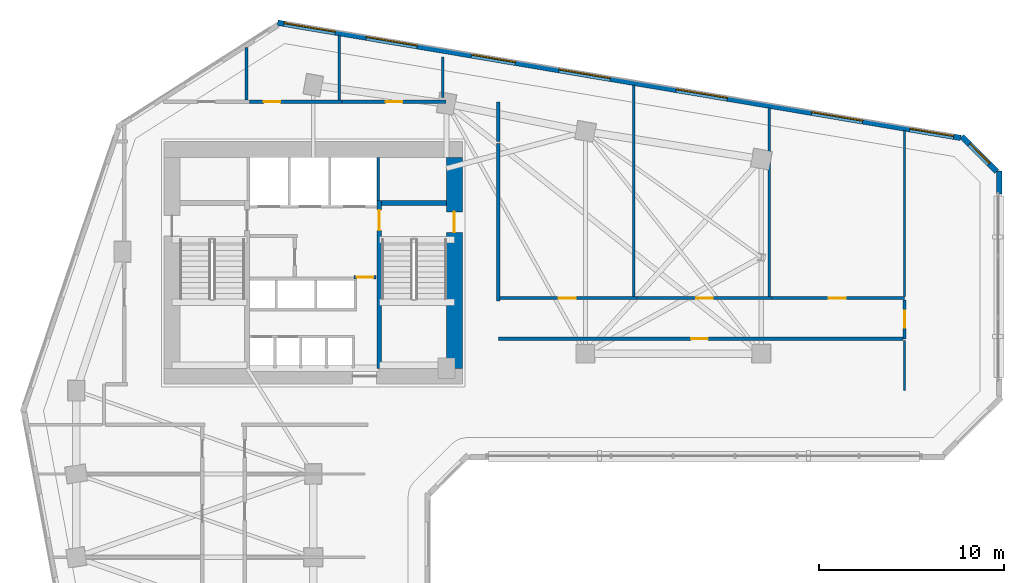
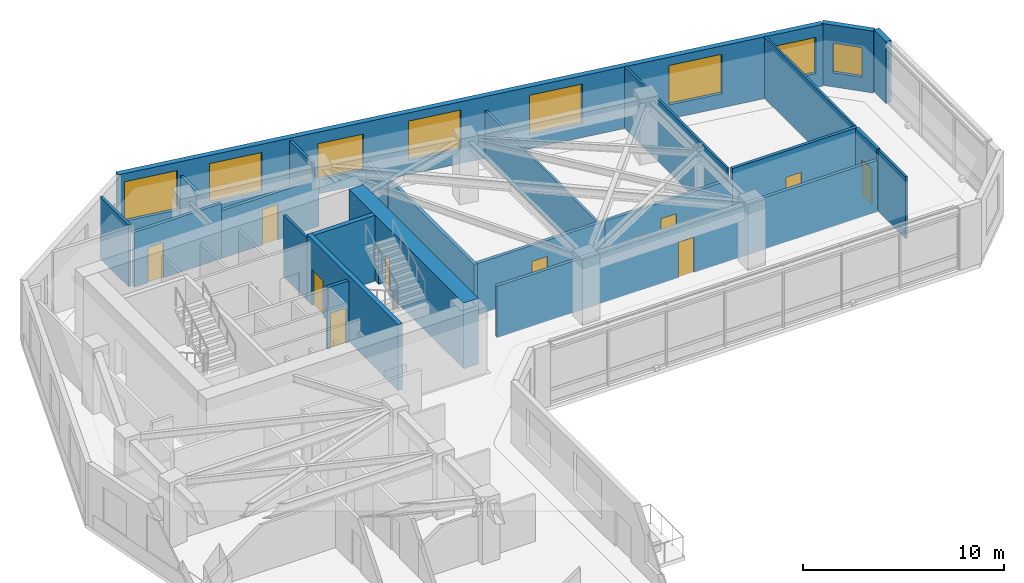
# One storey, part 8 of 12: 24 walls, 10 doors, 8 windows, 18 openings.
"""IFC4 building model written with IfcOpenShell, lengths in metres."""

from ifc_helpers import new_model, si_unit, direction, frame, frame_2d, origin, place, context, subcontext, project, spatial, rectangle, extrude, source, transform, mapped, material, layer, layer_set, type_object, element, fill, save


model = new_model("IFC4")

# Units and contexts
model_context = context("Model", 3, precision=1e-05, world=origin(), true_north=direction((0.0, 1.0)))
body_context = subcontext(model_context, "Body", "Model", "MODEL_VIEW")
ifc_project = project(units=[si_unit("LENGTHUNIT", "METRE"), si_unit("AREAUNIT", "SQUARE_METRE"), si_unit("VOLUMEUNIT", "CUBIC_METRE"), si_unit("PLANEANGLEUNIT", "RADIAN"), si_unit("MASSUNIT", "GRAM", prefix="KILO")], contexts=[model_context])

# Site, building, storey
site_placement = place(None, origin())
site = spatial("IfcSite", under=ifc_project, at=site_placement, CompositionType="ELEMENT")
building_placement = place(site_placement, origin())
building = spatial("IfcBuilding", under=site, at=building_placement, Name="Calvemar Wedge Station Tower", CompositionType="ELEMENT")
storey_placement = place(building_placement, frame((0.0, 0.0, 51.0)))
storey = spatial("IfcBuildingStorey", under=building, at=storey_placement, Name="L12", CompositionType="ELEMENT", Elevation=51.0)

# Wall, opening, door
ifc_material_1 = material(Name="Concrete C50", Category="concrete")
ifc_layer_1 = layer(ifc_material_1, 0.260009765625)
ifc_layer_set_1 = layer_set([ifc_layer_1], Name="Concrete C50")
wall_type_1 = type_object("IfcWallType", Name="SW-CORE-260", PredefinedType="SHEAR", material=ifc_layer_set_1)
wall_1_placement = place(storey_placement, frame((27.3701171875, 34.199951171875, 0.0), z_axis=(0.0, 0.0, 1.0), x_axis=(0.0, 1.0, 0.0)))
wall_1 = element("IfcWall", 1, at=wall_1_placement, inside=storey, type_object=wall_type_1, Name="Storey L12 Core Shear Wall SPINE-E", PredefinedType="SHEAR", context=body_context, shape_type="SweptSolid", body=[
    extrude(rectangle(XDim=9.06005859375, YDim=0.260009765625, at=frame_2d((4.530029296875, 0.0))), origin(), (0.0, 0.0, 1.0), 4.0),
])
shared_shape_1 = source(origin(), body_context, "Body", "SweptSolid", [
    extrude(rectangle(XDim=1.10009765625, YDim=2.14990234375, at=frame_2d((0.550048828125, 1.074951171875))), frame((0.0, 0.14013671875, 0.0), z_axis=(0.0, -1.0, 0.0), x_axis=(1.0, 0.0, 0.0)), (0.0, 0.0, 1.0), 0.280029296875),
])
opening_1_placement = place(wall_1_placement, frame((7.449951171875, 0.0, 0.0)))
opening_1 = element("IfcOpeningElement", 2, at=opening_1_placement, cuts=wall_1, Name="Opening FD-90", PredefinedType="OPENING", context=body_context, shape_type="MappedRepresentation", body=[
    mapped(shared_shape_1, transform((0.0, 0.0, 0.0), scale=1.0)),
])
ifc_material_2 = material(Name="Galvanized fire-rated steel door leaf P-90", Category="steel")
door_type_1 = type_object("IfcDoorType", Name="DR-FD90-1100", OperationType="NOTDEFINED", PredefinedType="DOOR", material=ifc_material_2)
shared_shape_2 = source(origin(), body_context, "Body", "SweptSolid", [
    extrude(rectangle(XDim=1.10009765625, YDim=2.14990234375, at=frame_2d((0.550048828125, 1.074951171875))), frame((0.0, 0.02490234375, 0.0), z_axis=(0.0, -1.0, 0.0), x_axis=(1.0, 0.0, 0.0)), (0.0, 0.0, 1.0), 0.050048828125),
])
door_1_placement = place(opening_1_placement, origin())
door_1 = element("IfcDoor", 3, at=door_1_placement, inside=storey, type_object=door_type_1, Name="L12 FF Lobby to Stair ST-C2 Door", OperationType="SINGLE_SWING_RIGHT", OverallHeight=2.14990234375, OverallWidth=1.10009765625, PredefinedType="DOOR", context=body_context, shape_type="MappedRepresentation", body=[
    mapped(shared_shape_2, transform((0.0, 0.0, 0.0), scale=1.0)),
])
fill(opening_1, door_1)

# Wall
wall_2_placement = place(storey_placement, frame((27.5, 43.1298828125, 0.0), z_axis=(0.0, 0.0, 1.0), x_axis=(1.0, 0.0, 0.0)))
element("IfcWall", 4, at=wall_2_placement, inside=storey, type_object=wall_type_1, Name="Storey L12 Core Shear Wall STC2-N", PredefinedType="SHEAR", context=body_context, shape_type="SweptSolid", body=[
    extrude(rectangle(XDim=3.5, YDim=0.260009765625, at=frame_2d((1.75, 0.0))), origin(), (0.0, 0.0, 1.0), 4.0),
])

# Wall, opening, door
ifc_material_3 = material(Name="Concrete C80", Category="concrete")
ifc_layer_2 = layer(ifc_material_3, 0.85009765625)
ifc_layer_set_2 = layer_set([ifc_layer_2], Name="Concrete C80")
wall_type_2 = type_object("IfcWallType", Name="SW-CORE-850", PredefinedType="SHEAR", material=ifc_layer_set_2)
wall_3_placement = place(storey_placement, frame((31.425048828125, 34.199951171875, 0.0), z_axis=(0.0, 0.0, 1.0), x_axis=(0.0, 1.0, 0.0)))
wall_3 = element("IfcWall", 5, at=wall_3_placement, inside=storey, type_object=wall_type_2, Name="Storey L12 Core Shear Wall E", PredefinedType="SHEAR", context=body_context, shape_type="SweptSolid", body=[
    extrude(rectangle(XDim=11.400146484375, YDim=0.85009765625, at=frame_2d((5.7001953125, 0.0))), origin(), (0.0, 0.0, 1.0), 4.0),
])
shared_shape_3 = source(origin(), body_context, "Body", "SweptSolid", [
    extrude(rectangle(XDim=1.10009765625, YDim=2.14990234375, at=frame_2d((0.550048828125, 1.074951171875))), frame((0.0, 0.43505859375, 0.0), z_axis=(0.0, -1.0, 0.0), x_axis=(1.0, 0.0, 0.0)), (0.0, 0.0, 1.0), 0.8701171875),
])
opening_2_placement = place(wall_3_placement, frame((7.35009765625, 0.0, 0.0)))
opening_2 = element("IfcOpeningElement", 6, at=opening_2_placement, cuts=wall_3, Name="Opening FD-90", PredefinedType="OPENING", context=body_context, shape_type="MappedRepresentation", body=[
    mapped(shared_shape_3, transform((0.0, 0.0, 0.0), scale=1.0)),
])
door_2_placement = place(opening_2_placement, origin())
door_2 = element("IfcDoor", 7, at=door_2_placement, inside=storey, type_object=door_type_1, Name="L12 East Corridor to Exit Stair ST-C2 Door", OperationType="SINGLE_SWING_RIGHT", OverallHeight=2.14990234375, OverallWidth=1.10009765625, PredefinedType="DOOR", context=body_context, shape_type="MappedRepresentation", body=[
    mapped(shared_shape_2, transform((0.0, 0.0, 0.0), scale=1.0)),
])
fill(opening_2, door_2)

ifc_material_4 = material(Name="Double-stud fire-rated corridor partition")
ifc_layer_3 = layer(ifc_material_4, 0.179931640625)
ifc_layer_set_3 = layer_set([ifc_layer_3], Name="Double-stud fire-rated corridor partition")
wall_type_3 = type_object("IfcWallType", Name="W-CORR-180", PredefinedType="PARTITIONING", material=ifc_layer_set_3)
wall_4_placement = place(storey_placement, frame((27.199951171875, 39.1298828125, 0.0), z_axis=(0.0, 0.0, 1.0), x_axis=(-1.0, 0.0, 0.0)))
wall_4 = element("IfcWall", 8, at=wall_4_placement, inside=storey, type_object=wall_type_3, Name="Storey L12 Interior Partition WL-L12-003", PredefinedType="PARTITIONING", context=body_context, shape_type="SweptSolid", body=[
    extrude(rectangle(XDim=1.2099609375, YDim=0.179931640625, at=frame_2d((0.60498046875, 0.0))), origin(), (0.0, 0.0, 1.0), 3.75),
])
shared_shape_4 = source(origin(), body_context, "Body", "SweptSolid", [
    extrude(rectangle(XDim=0.89990234375, YDim=2.14990234375, at=frame_2d((0.449951171875, 1.074951171875))), frame((0.0, 0.10009765625, 0.0), z_axis=(0.0, -1.0, 0.0), x_axis=(1.0, 0.0, 0.0)), (0.0, 0.0, 1.0), 0.199951171875),
])
opening_3_placement = place(wall_4_placement, frame((0.155029296875, 0.0, 0.0)))
opening_3 = element("IfcOpeningElement", 9, at=opening_3_placement, cuts=wall_4, Name="Opening FD-60", PredefinedType="OPENING", context=body_context, shape_type="MappedRepresentation", body=[
    mapped(shared_shape_4, transform((0.0, 0.0, 0.0), scale=1.0)),
])
ifc_material_5 = material(Name="Fire-rated acoustic timber-core entrance door EI 60", Category="wood")
door_type_2 = type_object("IfcDoorType", Name="DR-FD60-900", OperationType="NOTDEFINED", PredefinedType="DOOR", material=ifc_material_5)
shared_shape_5 = source(origin(), body_context, "Body", "SweptSolid", [
    extrude(rectangle(XDim=0.89990234375, YDim=2.14990234375, at=frame_2d((0.449951171875, 1.074951171875))), frame((0.0, 0.02490234375, 0.0), z_axis=(0.0, -1.0, 0.0), x_axis=(1.0, 0.0, 0.0)), (0.0, 0.0, 1.0), 0.050048828125),
])
door_3_placement = place(opening_3_placement, origin())
door_3 = element("IfcDoor", 10, at=door_3_placement, inside=storey, type_object=door_type_2, Name="L12 Core Service Lobby Door", OperationType="SINGLE_SWING_RIGHT", OverallHeight=2.14990234375, OverallWidth=0.89990234375, PredefinedType="DOOR", context=body_context, shape_type="MappedRepresentation", body=[
    mapped(shared_shape_5, transform((0.0, 0.0, 0.0), scale=1.0)),
])
fill(opening_3, door_3)

wall_5_placement = place(storey_placement, frame((20.362060546875, 48.60009765625, 0.0), z_axis=(0.0, 0.0, 1.0), x_axis=(1.0, 0.0, 0.0)))
wall_5 = element("IfcWall", 11, at=wall_5_placement, inside=storey, type_object=wall_type_3, Name="Storey L12 Interior Partition WL-L12-011", PredefinedType="PARTITIONING", context=body_context, shape_type="SweptSolid", body=[
    extrude(rectangle(XDim=4.998046875, YDim=0.179931640625, at=frame_2d((2.4990234375, 0.0))), origin(), (0.0, 0.0, 1.0), 3.3349609375),
])
opening_4_placement = place(wall_5_placement, frame((0.76806640625, 0.0, 0.0)))
opening_4 = element("IfcOpeningElement", 12, at=opening_4_placement, cuts=wall_5, Name="Opening D-01", PredefinedType="OPENING", context=body_context, shape_type="MappedRepresentation", body=[
    mapped(shared_shape_4, transform((0.0, 0.0, 0.0), scale=1.0)),
])
ifc_material_6 = material(Name="Architectural hardwood acoustic swing door", Category="wood")
door_type_3 = type_object("IfcDoorType", Name="DR-INT-900", OperationType="NOTDEFINED", PredefinedType="DOOR", material=ifc_material_6)
shared_shape_6 = source(origin(), body_context, "Body", "SweptSolid", [
    extrude(rectangle(XDim=0.89990234375, YDim=2.14990234375, at=frame_2d((0.449951171875, 1.074951171875))), frame((0.0, 0.02490234375, 0.0), z_axis=(0.0, -1.0, 0.0), x_axis=(1.0, 0.0, 0.0)), (0.0, 0.0, 1.0), 0.050048828125),
])
door_4_placement = place(opening_4_placement, origin())
door_4 = element("IfcDoor", 13, at=door_4_placement, inside=storey, type_object=door_type_3, Name="L12 Pantry Door", OperationType="SINGLE_SWING_LEFT", OverallHeight=2.14990234375, OverallWidth=0.89990234375, PredefinedType="DOOR", context=body_context, shape_type="MappedRepresentation", body=[
    mapped(shared_shape_6, transform((0.0, 0.0, 0.0), scale=1.0)),
])
fill(opening_4, door_4)

wall_6_placement = place(storey_placement, frame((25.362060546875, 48.60009765625, 0.0), z_axis=(0.0, 0.0, 1.0), x_axis=(1.0, 0.0, 0.0)))
wall_6 = element("IfcWall", 14, at=wall_6_placement, inside=storey, type_object=wall_type_3, Name="Storey L12 Interior Partition WL-L12-012", PredefinedType="PARTITIONING", context=body_context, shape_type="SweptSolid", body=[
    extrude(rectangle(XDim=5.597900390625, YDim=0.179931640625, at=frame_2d((2.798828125, 0.0))), origin(), (0.0, 0.0, 1.0), 2.89208984375),
])
opening_5_placement = place(wall_6_placement, frame((2.34912109375, 0.0, 0.0)))
opening_5 = element("IfcOpeningElement", 15, at=opening_5_placement, cuts=wall_6, Name="Opening D-01", PredefinedType="OPENING", context=body_context, shape_type="MappedRepresentation", body=[
    mapped(shared_shape_4, transform((0.0, 0.0, 0.0), scale=1.0)),
])
door_5_placement = place(opening_5_placement, origin())
door_5 = element("IfcDoor", 16, at=door_5_placement, inside=storey, type_object=door_type_3, Name="L12 Female Toilet Door", OperationType="SINGLE_SWING_RIGHT", OverallHeight=2.14990234375, OverallWidth=0.89990234375, PredefinedType="DOOR", context=body_context, shape_type="MappedRepresentation", body=[
    mapped(shared_shape_6, transform((0.0, 0.0, 0.0), scale=1.0)),
])
fill(opening_5, door_5)

# Walls
wall_7_placement = place(storey_placement, frame((33.800048828125, 48.60009765625, 0.0), z_axis=(0.0, 0.0, 1.0), x_axis=(0.0, -1.0, 0.0)))
element("IfcWall", 17, at=wall_7_placement, inside=storey, type_object=wall_type_3, Name="Storey L12 Interior Partition WL-L12-013", PredefinedType="PARTITIONING", context=body_context, shape_type="SweptSolid", body=[
    extrude(rectangle(XDim=2.150146484375, YDim=0.179931640625, at=frame_2d((1.0751953125, 0.0))), origin(), (0.0, 0.0, 1.0), 2.89208984375),
])
wall_8_placement = place(storey_placement, frame((33.800048828125, 46.35595703125, 0.0), z_axis=(0.0, 0.0, 1.0), x_axis=(0.0, -1.0, 0.0)))
element("IfcWall", 18, at=wall_8_placement, inside=storey, type_object=wall_type_3, Name="Storey L12 Interior Partition WL-L12-014", PredefinedType="PARTITIONING", context=body_context, shape_type="SweptSolid", body=[
    extrude(rectangle(XDim=8.515869140625, YDim=0.179931640625, at=frame_2d((4.2578125, 0.0))), origin(), (0.0, 0.0, 1.0), 3.18798828125),
])

# Wall, opening, door
wall_9_placement = place(storey_placement, frame((33.89404296875, 38.0, 0.0), z_axis=(0.0, 0.0, 1.0), x_axis=(1.0, 0.0, 0.0)))
wall_9 = element("IfcWall", 19, at=wall_9_placement, inside=storey, type_object=wall_type_3, Name="Storey L12 Interior Partition WL-L12-018", PredefinedType="PARTITIONING", context=body_context, shape_type="SweptSolid", body=[
    extrude(rectangle(XDim=7.3779296875, YDim=0.179931640625, at=frame_2d((3.68896484375, 0.0))), origin(), (0.0, 0.0, 1.0), 3.125),
])
opening_6_placement = place(wall_9_placement, frame((3.1787109375, 0.0, 0.0)))
opening_6 = element("IfcOpeningElement", 20, at=opening_6_placement, cuts=wall_9, Name="Opening D-01", PredefinedType="OPENING", context=body_context, shape_type="MappedRepresentation", body=[
    mapped(shared_shape_4, transform((0.0, 0.0, 0.0), scale=1.0)),
])
door_6_placement = place(opening_6_placement, origin())
door_6 = element("IfcDoor", 21, at=door_6_placement, inside=storey, type_object=door_type_3, Name="L12 Co-Working Studio Door", OperationType="SINGLE_SWING_LEFT", OverallHeight=2.14990234375, OverallWidth=0.89990234375, PredefinedType="DOOR", context=body_context, shape_type="MappedRepresentation", body=[
    mapped(shared_shape_6, transform((0.0, 0.0, 0.0), scale=1.0)),
])
fill(opening_6, door_6)

wall_10_placement = place(storey_placement, frame((41.27392578125, 38.0, 0.0), z_axis=(0.0, 0.0, 1.0), x_axis=(1.0, 0.0, 0.0)))
wall_10 = element("IfcWall", 22, at=wall_10_placement, inside=storey, type_object=wall_type_3, Name="Storey L12 Interior Partition WL-L12-019", PredefinedType="PARTITIONING", context=body_context, shape_type="SweptSolid", body=[
    extrude(rectangle(XDim=7.30908203125, YDim=0.179931640625, at=frame_2d((3.654541015625, 0.0))), origin(), (0.0, 0.0, 1.0), 3.125),
])
opening_7_placement = place(wall_10_placement, frame((3.20458984375, 0.0, 0.0)))
opening_7 = element("IfcOpeningElement", 23, at=opening_7_placement, cuts=wall_10, Name="Opening D-01", PredefinedType="OPENING", context=body_context, shape_type="MappedRepresentation", body=[
    mapped(shared_shape_4, transform((0.0, 0.0, 0.0), scale=1.0)),
])
door_7_placement = place(opening_7_placement, origin())
door_7 = element("IfcDoor", 24, at=door_7_placement, inside=storey, type_object=door_type_3, Name="L12 Co-Working Studio Door", OperationType="SINGLE_SWING_RIGHT", OverallHeight=2.14990234375, OverallWidth=0.89990234375, PredefinedType="DOOR", context=body_context, shape_type="MappedRepresentation", body=[
    mapped(shared_shape_6, transform((0.0, 0.0, 0.0), scale=1.0)),
])
fill(opening_7, door_7)

wall_11_placement = place(storey_placement, frame((48.5849609375, 38.0, 0.0), z_axis=(0.0, 0.0, 1.0), x_axis=(1.0, 0.0, 0.0)))
wall_11 = element("IfcWall", 25, at=wall_11_placement, inside=storey, type_object=wall_type_3, Name="Storey L12 Interior Partition WL-L12-020", PredefinedType="PARTITIONING", context=body_context, shape_type="SweptSolid", body=[
    extrude(rectangle(XDim=7.150146484375, YDim=0.179931640625, at=frame_2d((3.5751953125, 0.0))), origin(), (0.0, 0.0, 1.0), 3.75),
])
opening_8_placement = place(wall_11_placement, frame((3.064453125, 0.0, 0.0)))
opening_8 = element("IfcOpeningElement", 26, at=opening_8_placement, cuts=wall_11, Name="Opening D-01", PredefinedType="OPENING", context=body_context, shape_type="MappedRepresentation", body=[
    mapped(shared_shape_4, transform((0.0, 0.0, 0.0), scale=1.0)),
])
door_8_placement = place(opening_8_placement, origin())
door_8 = element("IfcDoor", 27, at=door_8_placement, inside=storey, type_object=door_type_3, Name="L12 Meeting Room Door", OperationType="SINGLE_SWING_LEFT", OverallHeight=2.14990234375, OverallWidth=0.89990234375, PredefinedType="DOOR", context=body_context, shape_type="MappedRepresentation", body=[
    mapped(shared_shape_6, transform((0.0, 0.0, 0.0), scale=1.0)),
])
fill(opening_8, door_8)

wall_12_placement = place(storey_placement, frame((55.735107421875, 37.906005859375, 0.0), z_axis=(0.0, 0.0, 1.0), x_axis=(0.0, -1.0, 0.0)))
wall_12 = element("IfcWall", 28, at=wall_12_placement, inside=storey, type_object=wall_type_3, Name="Storey L12 Interior Partition WL-L12-021", PredefinedType="PARTITIONING", context=body_context, shape_type="SweptSolid", body=[
    extrude(rectangle(XDim=2.10595703125, YDim=0.179931640625, at=frame_2d((1.052978515625, 0.0))), origin(), (0.0, 0.0, 1.0), 3.75),
])
opening_9_placement = place(wall_12_placement, frame((0.60302734375, 0.0, 0.0)))
opening_9 = element("IfcOpeningElement", 29, at=opening_9_placement, cuts=wall_12, Name="Opening D-01", PredefinedType="OPENING", context=body_context, shape_type="MappedRepresentation", body=[
    mapped(shared_shape_4, transform((0.0, 0.0, 0.0), scale=1.0)),
])
door_9_placement = place(opening_9_placement, origin())
door_9 = element("IfcDoor", 30, at=door_9_placement, inside=storey, type_object=door_type_3, Name="L12 Design Library Door", OperationType="SINGLE_SWING_RIGHT", OverallHeight=2.14990234375, OverallWidth=0.89990234375, PredefinedType="DOOR", context=body_context, shape_type="MappedRepresentation", body=[
    mapped(shared_shape_6, transform((0.0, 0.0, 0.0), scale=1.0)),
])
fill(opening_9, door_9)

wall_13_placement = place(storey_placement, frame((55.64111328125, 35.800048828125, 0.0), z_axis=(0.0, 0.0, 1.0), x_axis=(-1.0, 0.0, 0.0)))
wall_13 = element("IfcWall", 31, at=wall_13_placement, inside=storey, type_object=wall_type_3, Name="Storey L12 Interior Partition WL-L12-022", PredefinedType="PARTITIONING", context=body_context, shape_type="SweptSolid", body=[
    extrude(rectangle(XDim=21.841064453125, YDim=0.179931640625, at=frame_2d((10.92041015625, 0.0))), origin(), (0.0, 0.0, 1.0), 3.125),
])
opening_10_placement = place(wall_13_placement, frame((10.53076171875, 0.0, 0.0)))
opening_10 = element("IfcOpeningElement", 32, at=opening_10_placement, cuts=wall_13, Name="Opening D-01", PredefinedType="OPENING", context=body_context, shape_type="MappedRepresentation", body=[
    mapped(shared_shape_4, transform((0.0, 0.0, 0.0), scale=1.0)),
])
door_10_placement = place(opening_10_placement, origin())
door_10 = element("IfcDoor", 33, at=door_10_placement, inside=storey, type_object=door_type_3, Name="L12 Meeting Room Door", OperationType="SINGLE_SWING_LEFT", OverallHeight=2.14990234375, OverallWidth=0.89990234375, PredefinedType="DOOR", context=body_context, shape_type="MappedRepresentation", body=[
    mapped(shared_shape_6, transform((0.0, 0.0, 0.0), scale=1.0)),
])
fill(opening_10, door_10)

# Wall
ifc_material_7 = material(Name="Precast concrete C45", Category="concrete")
ifc_layer_4 = layer(ifc_material_7, 0.300048828125)
ifc_layer_set_4 = layer_set([ifc_layer_4], Name="Precast concrete C45")
wall_type_4 = type_object("IfcWallType", Name="W-EXT-GFRC-300", PredefinedType="SOLIDWALL", material=ifc_layer_set_4)
wall_14_placement = place(storey_placement, frame((60.85009765625, 43.622802734375, 0.0), z_axis=(0.0, 0.0, 1.0), x_axis=(0.0, 1.0, 0.0)))
element("IfcWall", 34, at=wall_14_placement, inside=storey, type_object=wall_type_4, Name="Storey L12 Bronze GFRC Corner Pier 8B", PredefinedType="SOLIDWALL", context=body_context, shape_type="SweptSolid", body=[
    extrude(rectangle(XDim=1.22509765625, YDim=0.300048828125, at=frame_2d((0.612548828125, 0.0))), origin(), (0.0, 0.0, 1.0), 3.75),
])

# Wall, opening, window
wall_15_placement = place(storey_placement, frame((60.7119140625, 44.8359375, 0.0), z_axis=(0.0, 0.0, 1.0), x_axis=(-0.707106781187, 0.707106781187, 0.0)))
wall_15 = element("IfcWall", 35, at=wall_15_placement, inside=storey, type_object=wall_type_4, Name="Storey L12 Bronze GFRC Exterior Wall 9", PredefinedType="SOLIDWALL", context=body_context, shape_type="SweptSolid", body=[
    extrude(rectangle(XDim=2.673095703125, YDim=0.300048828125, at=frame_2d((1.33642578125, 0.0))), origin(), (0.0, 0.0, 1.0), 3.75),
])
shared_shape_7 = source(origin(), body_context, "Body", "SweptSolid", [
    extrude(rectangle(XDim=1.5, YDim=1.800048828125, at=frame_2d((0.75, 0.89990234375))), frame((0.0, 0.16015625, 0.0), z_axis=(0.0, -1.0, 0.0), x_axis=(1.0, 0.0, 0.0)), (0.0, 0.0, 1.0), 0.320068359375),
])
opening_11_placement = place(wall_15_placement, frame((0.5869140625, 0.0, 0.85009765625)))
opening_11 = element("IfcOpeningElement", 36, at=opening_11_placement, cuts=wall_15, Name="Opening W3", PredefinedType="OPENING", context=body_context, shape_type="MappedRepresentation", body=[
    mapped(shared_shape_7, transform((0.0, 0.0, 0.0), scale=1.0)),
])
ifc_material_8 = material(Name="Low-E laminated insulated glass", Category="glass")
window_type_1 = type_object("IfcWindowType", Name="WIN-EXT-3", PartitioningType="SINGLE_PANEL", PredefinedType="WINDOW", material=ifc_material_8)
shared_shape_8 = source(origin(), body_context, "Body", "SweptSolid", [
    extrude(rectangle(XDim=1.5, YDim=1.800048828125, at=frame_2d((0.75, 0.89990234375))), frame((0.0, -0.014892578125, 0.0), z_axis=(0.0, -1.0, 0.0), x_axis=(1.0, 0.0, 0.0)), (0.0, 0.0, 1.0), 0.06005859375),
])
window_1_placement = place(opening_11_placement, origin())
window_1 = element("IfcWindow", 37, at=window_1_placement, inside=storey, type_object=window_type_1, Name="Storey L12 Recessed Window 9.1", OverallHeight=1.800048828125, OverallWidth=1.5, PartitioningType="SINGLE_PANEL", PredefinedType="WINDOW", context=body_context, shape_type="MappedRepresentation", body=[
    mapped(shared_shape_8, transform((0.0, 0.0, 0.0), scale=1.0)),
])
fill(opening_11, window_1)

# Wall, openings, windows
wall_16_placement = place(storey_placement, frame((58.7607421875, 46.648193359375, 0.0), z_axis=(0.0, 0.0, 1.0), x_axis=(-0.98607502735, 0.166301053624, 0.0)))
wall_16 = element("IfcWall", 38, at=wall_16_placement, inside=storey, type_object=wall_type_4, Name="Storey L12 Bronze GFRC Exterior Wall 10", PredefinedType="SOLIDWALL", context=body_context, shape_type="SweptSolid", body=[
    extrude(rectangle(XDim=37.3974609375, YDim=0.300048828125, at=frame_2d((18.69873046875, 0.0))), origin(), (0.0, 0.0, 1.0), 3.75),
])
shared_shape_9 = source(origin(), body_context, "Body", "SweptSolid", [
    extrude(rectangle(XDim=2.39990234375, YDim=2.199951171875, at=frame_2d((1.199951171875, 1.10009765625))), frame((0.0, 0.16015625, 0.0), z_axis=(0.0, -1.0, 0.0), x_axis=(1.0, 0.0, 0.0)), (0.0, 0.0, 1.0), 0.320068359375),
])
opening_12_placement = place(wall_16_placement, frame((0.375, 0.0, 0.85009765625)))
opening_12 = element("IfcOpeningElement", 39, at=opening_12_placement, cuts=wall_16, Name="Opening W1", PredefinedType="OPENING", context=body_context, shape_type="MappedRepresentation", body=[
    mapped(shared_shape_9, transform((0.0, 0.0, 0.0), scale=1.0)),
])
shared_shape_10 = source(origin(), body_context, "Body", "SweptSolid", [
    extrude(rectangle(XDim=2.800048828125, YDim=2.39990234375, at=frame_2d((1.39990234375, 1.199951171875))), frame((0.0, 0.16015625, 0.0), z_axis=(0.0, -1.0, 0.0), x_axis=(1.0, 0.0, 0.0)), (0.0, 0.0, 1.0), 0.320068359375),
])
opening_13_placement = place(wall_16_placement, frame((5.35693359375, 0.0, 0.85009765625)))
opening_13 = element("IfcOpeningElement", 40, at=opening_13_placement, cuts=wall_16, Name="Opening W6", PredefinedType="OPENING", context=body_context, shape_type="MappedRepresentation", body=[
    mapped(shared_shape_10, transform((0.0, 0.0, 0.0), scale=1.0)),
])
opening_14_placement = place(wall_16_placement, frame((12.77197265625, 0.0, 0.85009765625)))
opening_14 = element("IfcOpeningElement", 41, at=opening_14_placement, cuts=wall_16, Name="Opening W6", PredefinedType="OPENING", context=body_context, shape_type="MappedRepresentation", body=[
    mapped(shared_shape_10, transform((0.0, 0.0, 0.0), scale=1.0)),
])
opening_15_placement = place(wall_16_placement, frame((19.194091796875, 0.0, 0.85009765625)))
opening_15 = element("IfcOpeningElement", 42, at=opening_15_placement, cuts=wall_16, Name="Opening W6", PredefinedType="OPENING", context=body_context, shape_type="MappedRepresentation", body=[
    mapped(shared_shape_10, transform((0.0, 0.0, 0.0), scale=1.0)),
])
opening_16_placement = place(wall_16_placement, frame((24.384033203125, 0.0, 0.85009765625)))
opening_16 = element("IfcOpeningElement", 43, at=opening_16_placement, cuts=wall_16, Name="Opening W1", PredefinedType="OPENING", context=body_context, shape_type="MappedRepresentation", body=[
    mapped(shared_shape_9, transform((0.0, 0.0, 0.0), scale=1.0)),
])
opening_17_placement = place(wall_16_placement, frame((29.757080078125, 0.0, 0.85009765625)))
opening_17 = element("IfcOpeningElement", 44, at=opening_17_placement, cuts=wall_16, Name="Opening W6", PredefinedType="OPENING", context=body_context, shape_type="MappedRepresentation", body=[
    mapped(shared_shape_10, transform((0.0, 0.0, 0.0), scale=1.0)),
])
opening_18_placement = place(wall_16_placement, frame((34.256103515625, 0.0, 0.85009765625)))
opening_18 = element("IfcOpeningElement", 45, at=opening_18_placement, cuts=wall_16, Name="Opening W6", PredefinedType="OPENING", context=body_context, shape_type="MappedRepresentation", body=[
    mapped(shared_shape_10, transform((0.0, 0.0, 0.0), scale=1.0)),
])
window_type_2 = type_object("IfcWindowType", Name="WIN-EXT-6", PartitioningType="SINGLE_PANEL", PredefinedType="WINDOW", material=ifc_material_8)
shared_shape_11 = source(origin(), body_context, "Body", "SweptSolid", [
    extrude(rectangle(XDim=2.800048828125, YDim=2.39990234375, at=frame_2d((1.39990234375, 1.199951171875))), frame((0.0, -0.014892578125, 0.0), z_axis=(0.0, -1.0, 0.0), x_axis=(1.0, 0.0, 0.0)), (0.0, 0.0, 1.0), 0.06005859375),
])
window_2_placement = place(opening_13_placement, origin())
window_2 = element("IfcWindow", 46, at=window_2_placement, inside=storey, type_object=window_type_2, Name="Storey L12 Recessed Window 10.2", OverallHeight=2.39990234375, OverallWidth=2.800048828125, PartitioningType="SINGLE_PANEL", PredefinedType="WINDOW", context=body_context, shape_type="MappedRepresentation", body=[
    mapped(shared_shape_11, transform((0.0, 0.0, 0.0), scale=1.0)),
])
fill(opening_13, window_2)
window_3_placement = place(opening_14_placement, origin())
window_3 = element("IfcWindow", 47, at=window_3_placement, inside=storey, type_object=window_type_2, Name="Storey L12 Recessed Window 10.3", OverallHeight=2.39990234375, OverallWidth=2.800048828125, PartitioningType="SINGLE_PANEL", PredefinedType="WINDOW", context=body_context, shape_type="MappedRepresentation", body=[
    mapped(shared_shape_11, transform((0.0, 0.0, 0.0), scale=1.0)),
])
fill(opening_14, window_3)
window_4_placement = place(opening_15_placement, origin())
window_4 = element("IfcWindow", 48, at=window_4_placement, inside=storey, type_object=window_type_2, Name="Storey L12 Recessed Window 10.4", OverallHeight=2.39990234375, OverallWidth=2.800048828125, PartitioningType="SINGLE_PANEL", PredefinedType="WINDOW", context=body_context, shape_type="MappedRepresentation", body=[
    mapped(shared_shape_11, transform((0.0, 0.0, 0.0), scale=1.0)),
])
fill(opening_15, window_4)
window_5_placement = place(opening_17_placement, origin())
window_5 = element("IfcWindow", 49, at=window_5_placement, inside=storey, type_object=window_type_2, Name="Storey L12 Recessed Window 10.6", OverallHeight=2.39990234375, OverallWidth=2.800048828125, PartitioningType="SINGLE_PANEL", PredefinedType="WINDOW", context=body_context, shape_type="MappedRepresentation", body=[
    mapped(shared_shape_11, transform((0.0, 0.0, 0.0), scale=1.0)),
])
fill(opening_17, window_5)
window_6_placement = place(opening_18_placement, origin())
window_6 = element("IfcWindow", 50, at=window_6_placement, inside=storey, type_object=window_type_2, Name="Storey L12 Recessed Window 10.7", OverallHeight=2.39990234375, OverallWidth=2.800048828125, PartitioningType="SINGLE_PANEL", PredefinedType="WINDOW", context=body_context, shape_type="MappedRepresentation", body=[
    mapped(shared_shape_11, transform((0.0, 0.0, 0.0), scale=1.0)),
])
fill(opening_18, window_6)
window_type_3 = type_object("IfcWindowType", Name="WIN-EXT-1", PartitioningType="SINGLE_PANEL", PredefinedType="WINDOW", material=ifc_material_8)
shared_shape_12 = source(origin(), body_context, "Body", "SweptSolid", [
    extrude(rectangle(XDim=2.39990234375, YDim=2.199951171875, at=frame_2d((1.199951171875, 1.10009765625))), frame((0.0, -0.014892578125, 0.0), z_axis=(0.0, -1.0, 0.0), x_axis=(1.0, 0.0, 0.0)), (0.0, 0.0, 1.0), 0.06005859375),
])
window_7_placement = place(opening_12_placement, origin())
window_7 = element("IfcWindow", 51, at=window_7_placement, inside=storey, type_object=window_type_3, Name="Storey L12 Recessed Window 10.1", OverallHeight=2.199951171875, OverallWidth=2.39990234375, PartitioningType="SINGLE_PANEL", PredefinedType="WINDOW", context=body_context, shape_type="MappedRepresentation", body=[
    mapped(shared_shape_12, transform((0.0, 0.0, 0.0), scale=1.0)),
])
fill(opening_12, window_7)
window_8_placement = place(opening_16_placement, origin())
window_8 = element("IfcWindow", 52, at=window_8_placement, inside=storey, type_object=window_type_3, Name="Storey L12 Recessed Window 10.5", OverallHeight=2.199951171875, OverallWidth=2.39990234375, PartitioningType="SINGLE_PANEL", PredefinedType="WINDOW", context=body_context, shape_type="MappedRepresentation", body=[
    mapped(shared_shape_12, transform((0.0, 0.0, 0.0), scale=1.0)),
])
fill(opening_16, window_8)

# Walls
ifc_material_9 = material(Name="Reinforced concrete blockwork lift shaft wall", Category="masonry")
ifc_layer_5 = layer(ifc_material_9, 0.139892578125)
ifc_layer_set_5 = layer_set([ifc_layer_5], Name="Reinforced concrete blockwork lift shaft wall")
wall_type_5 = type_object("IfcWallType", Name="W-LIFT-160", PredefinedType="SOLIDWALL", material=ifc_layer_set_5)
wall_17_placement = place(storey_placement, frame((27.31005859375, 43.280029296875, 0.0), z_axis=(0.0, 0.0, 1.0), x_axis=(0.0, 1.0, 0.0)))
element("IfcWall", 53, at=wall_17_placement, inside=storey, type_object=wall_type_5, Name="Storey L12 Firefighting Lift Shaft Enclosure Wall E", PredefinedType="SOLIDWALL", context=body_context, shape_type="SweptSolid", body=[
    extrude(rectangle(XDim=2.300048828125, YDim=0.139892578125, at=frame_2d((1.14990234375, 0.0))), origin(), (0.0, 0.0, 1.0), 3.75),
])
ifc_material_10 = material(Name="Insulated acoustic gypsum stud partition")
ifc_layer_6 = layer(ifc_material_10, 0.125)
ifc_layer_set_6 = layer_set([ifc_layer_6], Name="Insulated acoustic gypsum stud partition")
wall_type_6 = type_object("IfcWallType", Name="W-PART-125", PredefinedType="PARTITIONING", material=ifc_layer_set_6)
wall_18_placement = place(storey_placement, frame((41.112060546875, 49.508056640625, 0.0), z_axis=(0.0, 0.0, 1.0), x_axis=(0.0, -1.0, 0.0)))
element("IfcWall", 54, at=wall_18_placement, inside=storey, type_object=wall_type_6, Name="Storey L12 Interior Partition WL-L12-023", PredefinedType="PARTITIONING", context=body_context, shape_type="SweptSolid", body=[
    extrude(rectangle(XDim=11.4140625, YDim=0.125, at=frame_2d((5.70703125, 0.0))), origin(), (0.0, 0.0, 1.0), 2.89208984375),
])
wall_19_placement = place(storey_placement, frame((48.423095703125, 48.275146484375, 0.0), z_axis=(0.0, 0.0, 1.0), x_axis=(0.0, -1.0, 0.0)))
element("IfcWall", 55, at=wall_19_placement, inside=storey, type_object=wall_type_6, Name="Storey L12 Interior Partition WL-L12-024", PredefinedType="PARTITIONING", context=body_context, shape_type="SweptSolid", body=[
    extrude(rectangle(XDim=10.18115234375, YDim=0.125, at=frame_2d((5.090576171875, 0.0))), origin(), (0.0, 0.0, 1.0), 3.75),
])
wall_20_placement = place(storey_placement, frame((55.735107421875, 47.0419921875, 0.0), z_axis=(0.0, 0.0, 1.0), x_axis=(0.0, -1.0, 0.0)))
element("IfcWall", 56, at=wall_20_placement, inside=storey, type_object=wall_type_6, Name="Storey L12 Interior Partition WL-L12-025", PredefinedType="PARTITIONING", context=body_context, shape_type="SweptSolid", body=[
    extrude(rectangle(XDim=8.947998046875, YDim=0.125, at=frame_2d((4.47412109375, 0.0))), origin(), (0.0, 0.0, 1.0), 3.75),
])
wall_21_placement = place(storey_placement, frame((55.735107421875, 33.0, 0.0), z_axis=(0.0, 0.0, 1.0), x_axis=(0.0, 1.0, 0.0)))
element("IfcWall", 57, at=wall_21_placement, inside=storey, type_object=wall_type_6, Name="Storey L12 Interior Partition WL-L12-026", PredefinedType="PARTITIONING", context=body_context, shape_type="SweptSolid", body=[
    extrude(rectangle(XDim=2.7060546875, YDim=0.125, at=frame_2d((1.35302734375, 0.0))), origin(), (0.0, 0.0, 1.0), 3.75),
])
ifc_material_11 = material(Name="Moisture-resistant acoustic bathroom partition")
ifc_layer_7 = layer(ifc_material_11, 0.14990234375)
ifc_layer_set_7 = layer_set([ifc_layer_7], Name="Moisture-resistant acoustic bathroom partition")
wall_type_7 = type_object("IfcWallType", Name="W-WET-150", PredefinedType="PARTITIONING", material=ifc_layer_set_7)
wall_22_placement = place(storey_placement, frame((20.199951171875, 51.540283203125, 0.0), z_axis=(0.0, 0.0, 1.0), x_axis=(0.0, -1.0, 0.0)))
element("IfcWall", 58, at=wall_22_placement, inside=storey, type_object=wall_type_7, Name="Storey L12 Interior Partition WL-L12-016", PredefinedType="PARTITIONING", context=body_context, shape_type="SweptSolid", body=[
    extrude(rectangle(XDim=2.84619140625, YDim=0.14990234375, at=frame_2d((1.423095703125, 0.0))), origin(), (0.0, 0.0, 1.0), 3.75),
])
wall_23_placement = place(storey_placement, frame((25.199951171875, 52.191650390625, 0.0), z_axis=(0.0, 0.0, 1.0), x_axis=(0.0, -1.0, 0.0)))
element("IfcWall", 59, at=wall_23_placement, inside=storey, type_object=wall_type_7, Name="Storey L12 Interior Partition WL-L12-017", PredefinedType="PARTITIONING", context=body_context, shape_type="SweptSolid", body=[
    extrude(rectangle(XDim=3.49755859375, YDim=0.14990234375, at=frame_2d((1.748779296875, 0.0))), origin(), (0.0, 0.0, 1.0), 2.89208984375),
])
wall_24_placement = place(storey_placement, frame((30.800048828125, 51.02392578125, 0.0), z_axis=(0.0, 0.0, 1.0), x_axis=(0.0, -1.0, 0.0)))
element("IfcWall", 60, at=wall_24_placement, inside=storey, type_object=wall_type_7, Name="Storey L12 Bathroom Enclosure Wall WL-L12-044", PredefinedType="PARTITIONING", context=body_context, shape_type="SweptSolid", body=[
    extrude(rectangle(XDim=2.203857421875, YDim=0.14990234375, at=frame_2d((1.10205078125, 0.0))), origin(), (0.0, 0.0, 1.0), 3.75),
])

save(model, "model.ifc")
